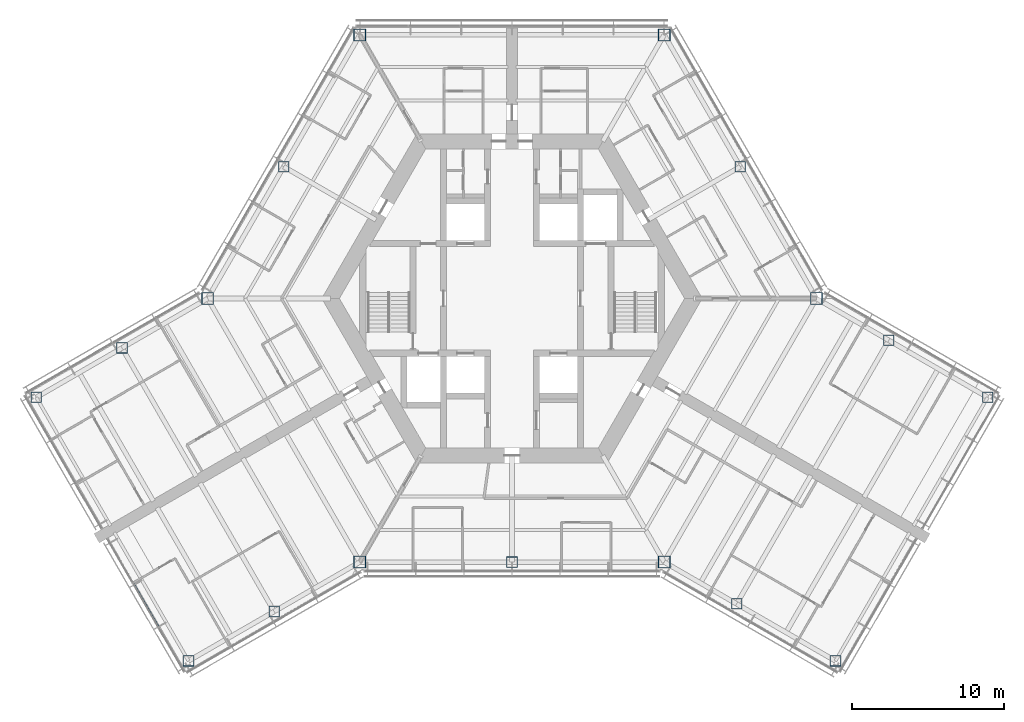
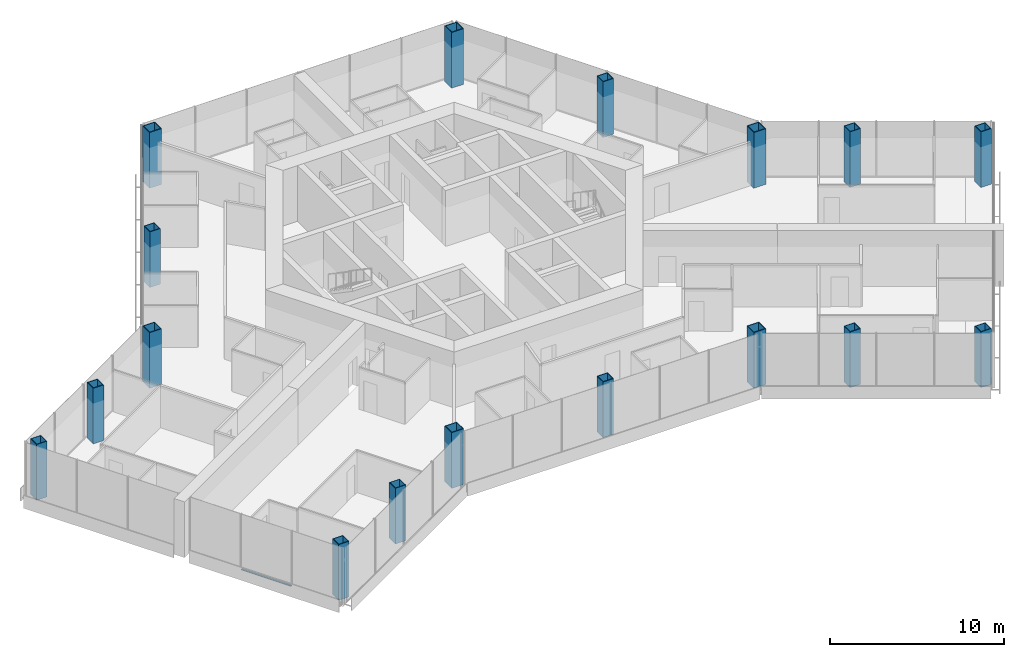
# One storey, part 1 of 19: 17 columns, 1 member, 1 element without a shape of its own.
"""IFC4 building model written with IfcOpenShell, lengths in metres."""

from ifc_helpers import new_model, si_unit, direction, frame, origin, origin_2d, place, context, subcontext, project, spatial, rectangle, hollow_rectangle, extrude, material, material_profile, profile_set, type_object, element, aggregate, save


model = new_model("IFC4")

# Units and contexts
model_context = context("Model", 3, precision=1e-05, world=origin(), true_north=direction((0.0, 1.0)))
body_context = subcontext(model_context, "Body", "Model", "MODEL_VIEW")
ifc_project = project(units=[si_unit("LENGTHUNIT", "METRE"), si_unit("AREAUNIT", "SQUARE_METRE"), si_unit("VOLUMEUNIT", "CUBIC_METRE"), si_unit("PLANEANGLEUNIT", "RADIAN"), si_unit("MASSUNIT", "GRAM", prefix="KILO")], contexts=[model_context])

# Site, building, storey
site_placement = place(None, origin())
site = spatial("IfcSite", under=ifc_project, at=site_placement, CompositionType="ELEMENT")
building_placement = place(site_placement, origin())
building = spatial("IfcBuilding", under=site, at=building_placement, Name="Kasaneha Research Tower", CompositionType="ELEMENT")
storey_placement = place(building_placement, frame((0.0, 0.0, 164.300048828125)))
storey = spatial("IfcBuildingStorey", under=building, at=storey_placement, Name="L41", CompositionType="ELEMENT", Elevation=164.300048828125)

# Columns
ifc_material_1 = material(Name="Steel SN490C", Category="steel")
ifc_material_profile_1 = material_profile(ifc_material_1, hollow_rectangle(XDim=0.800048828125, YDim=0.800048828125, WallThickness=0.044921875, at=origin_2d()), Name="BOX-800x800x45")
ifc_profile_set_1 = profile_set([ifc_material_profile_1], Name="Steel SN490C")
column_type_1 = type_object("IfcColumnType", Name="C3A column BOX-800x800x45", PredefinedType="COLUMN", material=ifc_profile_set_1)
for number, where, z_axis, x_axis, name in (
    (1, (20.0, 0.0, 0.0), (0.0, 0.0, 1.0), (1.0, 0.0, 0.0), "Column V0 L41"),
    (2, (10.0, 17.320556640625, 0.0), (0.0, 0.0, 1.0), (1.0, 0.0, 0.0), "Column V1 L41"),
    (3, (-10.0, 17.320556640625, 0.0), (0.0, 0.0, 1.0), (1.0, 0.0, 0.0), "Column V2 L41"),
    (4, (-20.0, 0.0, 0.0), (0.0, 0.0, 1.0), (1.0, 0.0, 0.0), "Column V3 L41"),
    (5, (-10.0, -17.320556640625, 0.0), (0.0, 0.0, 1.0), (1.0, 0.0, 0.0), "Column V4 L41"),
    (6, (10.0, -17.320556640625, 0.0), (0.0, 0.0, 1.0), (1.0, 0.0, 0.0), "Column V5 L41"),
):
    element("IfcColumn", number, at=place(storey_placement, frame(where, z_axis=z_axis, x_axis=x_axis)), inside=storey, type_object=column_type_1, Name=name, PredefinedType="COLUMN", context=body_context, shape_type="SweptSolid", body=[
        extrude(hollow_rectangle(XDim=0.800048828125, YDim=0.800048828125, WallThickness=0.044921875, at=origin_2d()), origin(), (0.0, 0.0, 1.0), 3.89990234375),
    ])
ifc_material_2 = material(Name="Steel SN490C", Category="steel")
ifc_material_profile_2 = material_profile(ifc_material_2, hollow_rectangle(XDim=0.699951171875, YDim=0.699951171875, WallThickness=0.035888671875, at=origin_2d()), Name="BOX-700x700x36")
ifc_profile_set_2 = profile_set([ifc_material_profile_2], Name="Steel SN490C")
column_type_2 = type_object("IfcColumnType", Name="C3B column BOX-700x700x36", PredefinedType="COLUMN", material=ifc_profile_set_2)
for number, where, z_axis, x_axis, name in (
    (7, (15.0, 8.66015625, 0.0), (0.0, 0.0, 1.0), (1.0, 0.0, 0.0), "Column M030 L41"),
    (8, (-15.0, 8.66015625, 0.0), (0.0, 0.0, 1.0), (1.0, 0.0, 0.0), "Column M150 L41"),
    (9, (0.0, -17.320556640625, 0.0), (0.0, 0.0, 1.0), (1.0, 0.0, 0.0), "Column M270 L41"),
    (10, (-25.629150390625, -3.25, 0.0), (0.0, 0.0, 1.0), (1.0, 0.0, 0.0), "Column BSP L41"),
    (11, (-31.25830078125, -6.5, 0.0), (0.0, 0.0, 1.0), (1.0, 0.0, 0.0), "Column BTP L41"),
    (12, (-15.629150390625, -20.570556640625, 0.0), (0.0, 0.0, 1.0), (1.0, 0.0, 0.0), "Column BSN L41"),
    (13, (-21.25830078125, -23.820556640625, 0.0), (0.0, 0.0, 1.0), (1.0, 0.0, 0.0), "Column BTN L41"),
    (14, (14.76318359375, -20.070556640625, 0.0), (0.0, 0.0, 1.0), (1.0, 0.0, 0.0), "Column CSP L41"),
    (15, (21.25830078125, -23.820556640625, 0.0), (0.0, 0.0, 1.0), (1.0, 0.0, 0.0), "Column CTP L41"),
    (16, (24.76318359375, -2.75, 0.0), (0.0, 0.0, 1.0), (1.0, 0.0, 0.0), "Column CSN L41"),
    (17, (31.25830078125, -6.5, 0.0), (0.0, 0.0, 1.0), (1.0, 0.0, 0.0), "Column CTN L41"),
):
    element("IfcColumn", number, at=place(storey_placement, frame(where, z_axis=z_axis, x_axis=x_axis)), inside=storey, type_object=column_type_2, Name=name, PredefinedType="COLUMN", context=body_context, shape_type="SweptSolid", body=[
        extrude(hollow_rectangle(XDim=0.699951171875, YDim=0.699951171875, WallThickness=0.035888671875, at=origin_2d()), origin(), (0.0, 0.0, 1.0), 3.89990234375),
    ])

# Curtain wall, member
ifc_material_3 = material(Name="Glass and aluminium", Category="aluminium")
curtain_wall_type = type_object("IfcCurtainWallType", Name="Mid-rise office curtain wall", PredefinedType="USERDEFINED", material=ifc_material_3)
curtain_wall_placement = place(storey_placement, origin())
curtain_wall = element("IfcCurtainWall", 18, at=curtain_wall_placement, inside=storey, type_object=curtain_wall_type, Name="CW-O2 L41 run 11a", ObjectType="UNITISED CURTAIN WALL", PredefinedType="USERDEFINED")
ifc_material_4 = material(Name="Aluminium 6063-T6", Category="aluminium")
ifc_material_profile_3 = material_profile(ifc_material_4, rectangle(XDim=0.110107421875, YDim=0.06005859375, at=origin_2d()), Name="CW-O2 transom 110x60")
ifc_profile_set_3 = profile_set([ifc_material_profile_3], Name="Aluminium 6063-T6")
member_type = type_object("IfcMemberType", Name="CW-O2 transom", PredefinedType="USERDEFINED", material=ifc_profile_set_3)
member_placement = place(storey_placement, frame((-24.896240234375, -18.719482421875, 0.030029296875), z_axis=(0.500010745865, -0.866019199568, 0.0), x_axis=(0.866019199568, 0.500010745865, 0.0)))
member = element("IfcMember", 19, at=member_placement, type_object=member_type, Name="CW-O2 transom 2", ObjectType="TRANSOM", PredefinedType="USERDEFINED", context=body_context, shape_type="SweptSolid", body=[
    extrude(rectangle(XDim=0.110107421875, YDim=0.06005859375, at=origin_2d()), origin(), (0.0, 0.0, 1.0), 3.3232421875),
])
aggregate(curtain_wall, [member])

save(model, "model.ifc")
